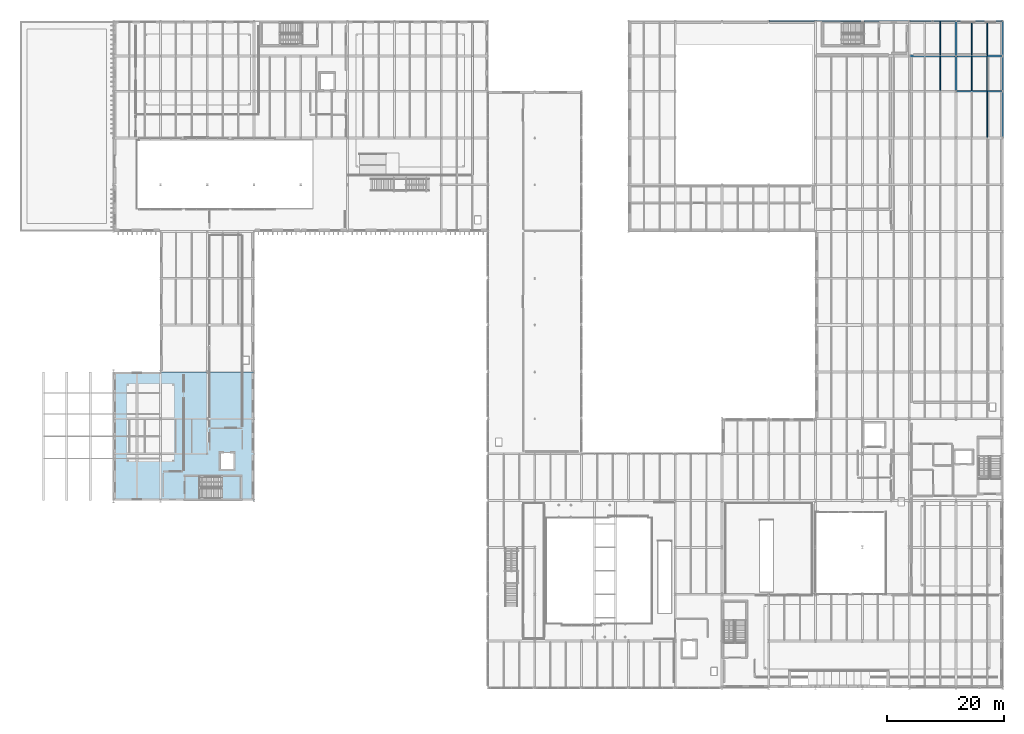
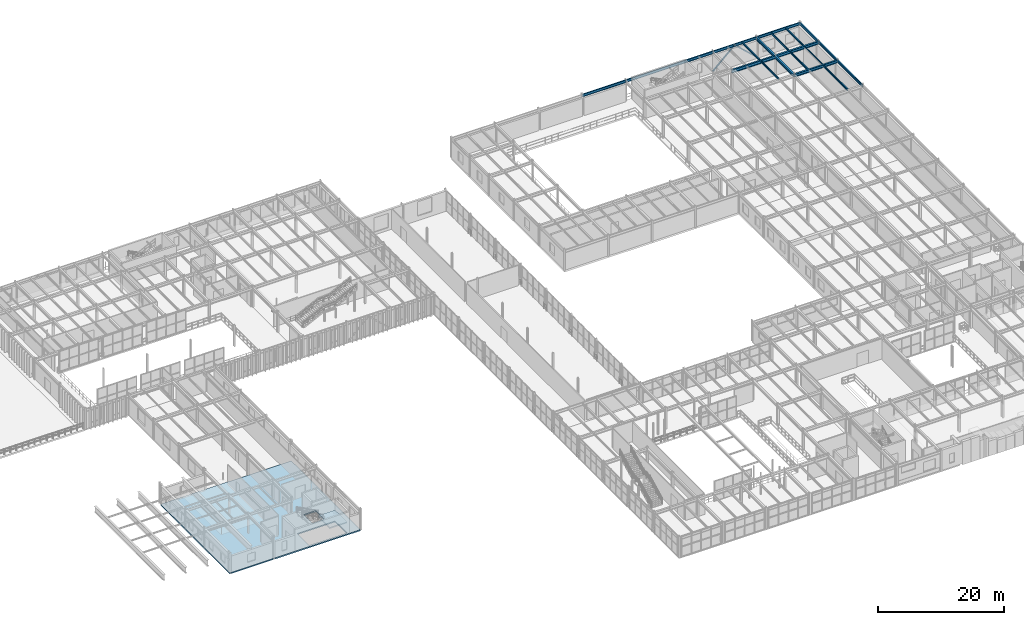
# One storey, part 67 of 122: 20 beams, 2 members, 2 slabs, 1 element without a shape of its own.
"""IFC4 building model written with IfcOpenShell, lengths in metres."""

from ifc_helpers import new_model, si_unit, direction, frame, origin, origin_2d, place, context, subcontext, project, spatial, polyline, hollow_rectangle, i_section, outline, extrude, material, layer, layer_set, material_profile, profile_set, type_object, element, aggregate, save


model = new_model("IFC4")

# Units and contexts
model_context = context("Model", 3, precision=1e-05, world=origin(), true_north=direction((0.0, 1.0)))
body_context = subcontext(model_context, "Body", "Model", "MODEL_VIEW")
ifc_project = project(units=[si_unit("LENGTHUNIT", "METRE"), si_unit("AREAUNIT", "SQUARE_METRE"), si_unit("VOLUMEUNIT", "CUBIC_METRE"), si_unit("PLANEANGLEUNIT", "RADIAN"), si_unit("MASSUNIT", "GRAM", prefix="KILO")], contexts=[model_context])

# Site, building, storey
site_placement = place(None, origin())
site = spatial("IfcSite", under=ifc_project, at=site_placement, CompositionType="ELEMENT")
building_placement = place(site_placement, origin())
building = spatial("IfcBuilding", under=site, at=building_placement, Name="Sundkrona Museum", CompositionType="ELEMENT")
storey_placement = place(building_placement, frame((0.0, 0.0, 5.39990234375)))
storey = spatial("IfcBuildingStorey", under=building, at=storey_placement, Name="L01", CompositionType="ELEMENT", Elevation=5.39990234375)

# Beams
ifc_material_1 = material(Name="Steel S355J2", Category="steel")
ifc_material_profile_1 = material_profile(ifc_material_1, i_section(OverallWidth=0.300048828125, OverallDepth=0.5400390625, WebThickness=0.012451171875, FlangeThickness=0.02392578125, FilletRadius=0.027099609375, at=origin_2d()), Name="HEA 550")
ifc_profile_set_1 = profile_set([ifc_material_profile_1], Name="Steel S355J2")
beam_type_1 = type_object("IfcBeamType", Name="B-HEA550", PredefinedType="BEAM", material=ifc_profile_set_1)
for number, where, z_axis, x_axis, name in (
    (1, (160.0, 102.0, 3.670166015625), (1.0, 0.0, 0.0), (0.0, 1.0, 0.0), "L01 Girder X-0933"),
    (2, (160.0, 108.0, 3.670166015625), (1.0, 0.0, 0.0), (0.0, 1.0, 0.0), "L01 Girder X-0946"),
):
    element("IfcBeam", number, at=place(storey_placement, frame(where, z_axis=z_axis, x_axis=x_axis)), inside=storey, type_object=beam_type_1, Name=name, PredefinedType="BEAM", context=body_context, shape_type="SweptSolid", body=[
        extrude(i_section(OverallWidth=0.300048828125, OverallDepth=0.5400390625, WebThickness=0.012451171875, FlangeThickness=0.02392578125, FilletRadius=0.027099609375, at=origin_2d()), origin(), (0.0, 0.0, 1.0), 8.0),
    ])
for number, where, z_axis, x_axis, name in (
    (3, (160.0, 102.0, 3.670166015625), (0.0, 1.0, 0.0), (-1.0, 0.0, 0.0), "L01 Girder Y-1105"),
    (4, (160.0, 108.0, 3.670166015625), (0.0, 1.0, 0.0), (-1.0, 0.0, 0.0), "L01 Girder Y-1106"),
):
    element("IfcBeam", number, at=place(storey_placement, frame(where, z_axis=z_axis, x_axis=x_axis)), inside=storey, type_object=beam_type_1, Name=name, PredefinedType="BEAM", context=body_context, shape_type="SweptSolid", body=[
        extrude(i_section(OverallWidth=0.300048828125, OverallDepth=0.5400390625, WebThickness=0.012451171875, FlangeThickness=0.02392578125, FilletRadius=0.027099609375, at=origin_2d()), origin(), (0.0, 0.0, 1.0), 6.0),
    ])
ifc_material_profile_2 = material_profile(ifc_material_1, i_section(OverallWidth=0.300048828125, OverallDepth=0.60009765625, WebThickness=0.015380859375, FlangeThickness=0.030029296875, FilletRadius=0.027099609375, at=origin_2d()), Name="HEB 600")
ifc_profile_set_2 = profile_set([ifc_material_profile_2], Name="Steel S355J2")
beam_type_2 = type_object("IfcBeamType", Name="B-HEB600", PredefinedType="BEAM", material=ifc_profile_set_2)
beam_1_placement = place(storey_placement, frame((152.0, 108.0, 3.64013671875), z_axis=(1.0, 0.0, 0.0), x_axis=(0.0, 1.0, 0.0)))
element("IfcBeam", 5, at=beam_1_placement, inside=storey, type_object=beam_type_2, Name="L01 Girder X-0945", PredefinedType="BEAM", context=body_context, shape_type="SweptSolid", body=[
    extrude(i_section(OverallWidth=0.300048828125, OverallDepth=0.60009765625, WebThickness=0.015380859375, FlangeThickness=0.030029296875, FilletRadius=0.027099609375, at=origin_2d()), origin(), (0.0, 0.0, 1.0), 8.0),
])

# Members
ifc_material_profile_3 = material_profile(ifc_material_1, hollow_rectangle(XDim=0.199951171875, YDim=0.199951171875, WallThickness=0.010009765625, at=origin_2d()), Name="SHS 200x200x10.0")
ifc_profile_set_3 = profile_set([ifc_material_profile_3], Name="Steel S355J2")
member_type = type_object("IfcMemberType", Name="BR-SHS200", PredefinedType="BRACE", material=ifc_profile_set_3)
for number, where, z_axis, x_axis, name in (
    (6, (152.0, 114.0, 0.0), (0.732252044543, 0.0, 0.681033731369), (0.0, 1.0, 0.0), "CBR-1 L01 Concentric Chevron Brace 031A"),
    (7, (160.0, 114.0, 0.0), (-0.732252044543, 0.0, 0.681033731369), (0.0, -1.0, 0.0), "CBR-1 L01 Concentric Chevron Brace 031B"),
):
    element("IfcMember", number, at=place(storey_placement, frame(where, z_axis=z_axis, x_axis=x_axis)), inside=storey, type_object=member_type, Name=name, PredefinedType="BRACE", context=body_context, shape_type="SweptSolid", body=[
        extrude(hollow_rectangle(XDim=0.199951171875, YDim=0.199951171875, WallThickness=0.010009765625, at=origin_2d()), origin(), (0.0, 0.0, 1.0), 5.462646484375),
    ])

# Beams
ifc_material_profile_4 = material_profile(ifc_material_1, i_section(OverallWidth=0.091064453125, OverallDepth=0.179931640625, WebThickness=0.00537109375, FlangeThickness=0.008056640625, FilletRadius=0.009033203125, at=origin_2d()), Name="IPE 180")
ifc_profile_set_4 = profile_set([ifc_material_profile_4], Name="Steel S355J2")
beam_type_3 = type_object("IfcBeamType", Name="J-IPE180", PredefinedType="JOIST", material=ifc_profile_set_4)
beam_2_placement = place(storey_placement, frame((165.333251953125, 102.14404296875, 3.85009765625), z_axis=(0.0, 1.0, 0.0), x_axis=(-1.0, 0.0, 0.0)))
element("IfcBeam", 8, at=beam_2_placement, inside=storey, type_object=beam_type_3, Name="L01 Composite Joist 0775", PredefinedType="JOIST", context=body_context, shape_type="SweptSolid", body=[
    extrude(i_section(OverallWidth=0.091064453125, OverallDepth=0.179931640625, WebThickness=0.00537109375, FlangeThickness=0.008056640625, FilletRadius=0.009033203125, at=origin_2d()), origin(), (0.0, 0.0, 1.0), 5.7119140625),
])
ifc_material_profile_5 = material_profile(ifc_material_1, i_section(OverallWidth=0.169921875, OverallDepth=0.360107421875, WebThickness=0.008056640625, FlangeThickness=0.0126953125, FilletRadius=0.01806640625, at=origin_2d()), Name="IPE 360")
ifc_profile_set_5 = profile_set([ifc_material_profile_5], Name="Steel S355J2")
beam_type_4 = type_object("IfcBeamType", Name="J-IPE360", PredefinedType="JOIST", material=ifc_profile_set_5)
beam_3_placement = place(storey_placement, frame((157.333251953125, 102.14404296875, 3.760009765625), z_axis=(0.0, 1.0, 0.0), x_axis=(-1.0, 0.0, 0.0)))
element("IfcBeam", 9, at=beam_3_placement, inside=storey, type_object=beam_type_4, Name="L01 Composite Joist 0749", PredefinedType="JOIST", context=body_context, shape_type="SweptSolid", body=[
    extrude(i_section(OverallWidth=0.169921875, OverallDepth=0.360107421875, WebThickness=0.008056640625, FlangeThickness=0.0126953125, FilletRadius=0.01806640625, at=origin_2d()), origin(), (0.0, 0.0, 1.0), 5.7119140625),
])
beam_4_placement = place(storey_placement, frame((157.333251953125, 108.14404296875, 3.760009765625), z_axis=(0.0, 1.0, 0.0), x_axis=(-1.0, 0.0, 0.0)))
element("IfcBeam", 10, at=beam_4_placement, inside=storey, type_object=beam_type_4, Name="L01 Composite Joist 0751", PredefinedType="JOIST", context=body_context, shape_type="SweptSolid", body=[
    extrude(i_section(OverallWidth=0.169921875, OverallDepth=0.360107421875, WebThickness=0.008056640625, FlangeThickness=0.0126953125, FilletRadius=0.01806640625, at=origin_2d()), origin(), (0.0, 0.0, 1.0), 5.761962890625),
])
beam_5_placement = place(storey_placement, frame((165.333251953125, 94.14404296875, 3.760009765625), z_axis=(0.0, 1.0, 0.0), x_axis=(-1.0, 0.0, 0.0)))
element("IfcBeam", 11, at=beam_5_placement, inside=storey, type_object=beam_type_4, Name="L01 Composite Joist 0773", PredefinedType="JOIST", context=body_context, shape_type="SweptSolid", body=[
    extrude(i_section(OverallWidth=0.169921875, OverallDepth=0.360107421875, WebThickness=0.008056640625, FlangeThickness=0.0126953125, FilletRadius=0.01806640625, at=origin_2d()), origin(), (0.0, 0.0, 1.0), 7.7119140625),
])
beam_6_placement = place(storey_placement, frame((162.666748046875, 102.14404296875, 3.760009765625), z_axis=(0.0, 1.0, 0.0), x_axis=(-1.0, 0.0, 0.0)))
element("IfcBeam", 12, at=beam_6_placement, inside=storey, type_object=beam_type_4, Name="L01 Composite Joist 0774", PredefinedType="JOIST", context=body_context, shape_type="SweptSolid", body=[
    extrude(i_section(OverallWidth=0.169921875, OverallDepth=0.360107421875, WebThickness=0.008056640625, FlangeThickness=0.0126953125, FilletRadius=0.01806640625, at=origin_2d()), origin(), (0.0, 0.0, 1.0), 5.7119140625),
])
for number, where, z_axis, x_axis, name in (
    (13, (162.666748046875, 108.14404296875, 3.760009765625), (0.0, 1.0, 0.0), (-1.0, 0.0, 0.0), "L01 Composite Joist 0776"),
    (14, (165.333251953125, 108.14404296875, 3.760009765625), (0.0, 1.0, 0.0), (-1.0, 0.0, 0.0), "L01 Composite Joist 0777"),
):
    element("IfcBeam", number, at=place(storey_placement, frame(where, z_axis=z_axis, x_axis=x_axis)), inside=storey, type_object=beam_type_4, Name=name, PredefinedType="JOIST", context=body_context, shape_type="SweptSolid", body=[
        extrude(i_section(OverallWidth=0.169921875, OverallDepth=0.360107421875, WebThickness=0.008056640625, FlangeThickness=0.0126953125, FilletRadius=0.01806640625, at=origin_2d()), origin(), (0.0, 0.0, 1.0), 5.761962890625),
    ])
ifc_material_profile_6 = material_profile(ifc_material_1, i_section(OverallWidth=0.199951171875, OverallDepth=0.5, WebThickness=0.01025390625, FlangeThickness=0.01611328125, FilletRadius=0.02099609375, at=origin_2d()), Name="IPE 500")
ifc_profile_set_6 = profile_set([ifc_material_profile_6], Name="Steel S355J2")
beam_type_5 = type_object("IfcBeamType", Name="SP-IPE500", PredefinedType="SPANDREL", material=ifc_profile_set_6)
for number, where, z_axis, x_axis, name in (
    (15, (128.0, 114.0, 3.690185546875), (1.0, 0.0, 0.0), (0.0, 1.0, 0.0), "L01 Girder X-0958"),
    (16, (136.0, 114.0, 3.690185546875), (1.0, 0.0, 0.0), (0.0, 1.0, 0.0), "L01 Girder X-0959"),
    (17, (144.0, 114.0, 3.690185546875), (1.0, 0.0, 0.0), (0.0, 1.0, 0.0), "L01 Girder X-0960"),
    (18, (152.0, 114.0, 3.690185546875), (1.0, 0.0, 0.0), (0.0, 1.0, 0.0), "L01 Girder X-0961"),
    (19, (160.0, 114.0, 3.690185546875), (1.0, 0.0, 0.0), (0.0, 1.0, 0.0), "L01 Girder X-0962"),
    (20, (168.0, 94.0, 3.690185546875), (0.0, 1.0, 0.0), (-1.0, 0.0, 0.0), "L01 Girder Y-1119"),
):
    element("IfcBeam", number, at=place(storey_placement, frame(where, z_axis=z_axis, x_axis=x_axis)), inside=storey, type_object=beam_type_5, Name=name, PredefinedType="SPANDREL", context=body_context, shape_type="SweptSolid", body=[
        extrude(i_section(OverallWidth=0.199951171875, OverallDepth=0.5, WebThickness=0.01025390625, FlangeThickness=0.01611328125, FilletRadius=0.02099609375, at=origin_2d()), origin(), (0.0, 0.0, 1.0), 8.0),
    ])
for number, where, z_axis, x_axis, name in (
    (21, (168.0, 102.0, 3.690185546875), (0.0, 1.0, 0.0), (-1.0, 0.0, 0.0), "L01 Girder Y-1120"),
    (22, (168.0, 108.0, 3.690185546875), (0.0, 1.0, 0.0), (-1.0, 0.0, 0.0), "L01 Girder Y-1121"),
):
    element("IfcBeam", number, at=place(storey_placement, frame(where, z_axis=z_axis, x_axis=x_axis)), inside=storey, type_object=beam_type_5, Name=name, PredefinedType="SPANDREL", context=body_context, shape_type="SweptSolid", body=[
        extrude(i_section(OverallWidth=0.199951171875, OverallDepth=0.5, WebThickness=0.01025390625, FlangeThickness=0.01611328125, FilletRadius=0.02099609375, at=origin_2d()), origin(), (0.0, 0.0, 1.0), 6.0),
    ])

# Slab
ifc_material_2 = material(Name="Concrete C35/45", Category="concrete")
ifc_layer_1 = layer(ifc_material_2, 0.239990234375)
ifc_layer_set_1 = layer_set([ifc_layer_1], Name="Concrete C35/45")
slab_type_1 = type_object("IfcSlabType", Name="SL-FL-240", PredefinedType="FLOOR", material=ifc_layer_set_1)
slab_1_placement = place(storey_placement, frame((0.0, 0.0, -0.239990234375)))
element("IfcSlab", 23, at=slab_1_placement, inside=storey, type_object=slab_type_1, Name="L01 Standard composite gallery floor slab 240 mm (SL-L01-V4A)", PredefinedType="FLOOR", context=body_context, shape_type="SweptSolid", body=[
    extrude(outline(polyline([(16.0, 32.0), (40.0, 32.0), (40.0, 54.0), (16.0, 54.0), (16.0, 32.0)]), holes=[polyline([(30.72509765625, 36.074951171875), (37.675048828125, 36.074951171875), (37.675048828125, 32.324951171875), (30.72509765625, 32.324951171875), (30.72509765625, 36.074951171875)]), polyline([(34.300048828125, 40.10009765625), (36.5, 40.10009765625), (36.5, 37.39990234375), (34.300048828125, 37.39990234375), (34.300048828125, 40.10009765625)])]), origin(), (0.0, 0.0, 1.0), 0.239990234375),
])

# Stair, slab
stair_type = type_object("IfcStairType", Name="ST-DL-420", PredefinedType="HALF_TURN_STAIR", material=ifc_material_2)
stair_placement = place(storey_placement, origin())
stair = element("IfcStair", 24, at=stair_placement, inside=storey, type_object=stair_type, Name="L01 Protected Stair Core ST-4", PredefinedType="HALF_TURN_STAIR")
ifc_layer_2 = layer(ifc_material_2, 0.219970703125)
ifc_layer_set_2 = layer_set([ifc_layer_2], Name="Concrete C35/45")
slab_type_2 = type_object("IfcSlabType", Name="SL-LN-220", PredefinedType="LANDING", material=ifc_layer_set_2)
slab_2_placement = place(storey_placement, frame((0.0, 0.0, 1.880126953125)))
slab_2 = element("IfcSlab", 25, at=slab_2_placement, type_object=slab_type_2, Name="L01 Protected Stair Core ST-4 Landing 1", PredefinedType="LANDING", context=body_context, shape_type="SweptSolid", body=[
    extrude(outline(polyline([(34.534912109375, 32.300048828125), (37.699951171875, 32.300048828125), (37.699951171875, 36.10009765625), (34.534912109375, 36.10009765625), (34.534912109375, 32.300048828125)])), origin(), (0.0, 0.0, 1.0), 0.219970703125),
])
aggregate(stair, [slab_2])

save(model, "model.ifc")
